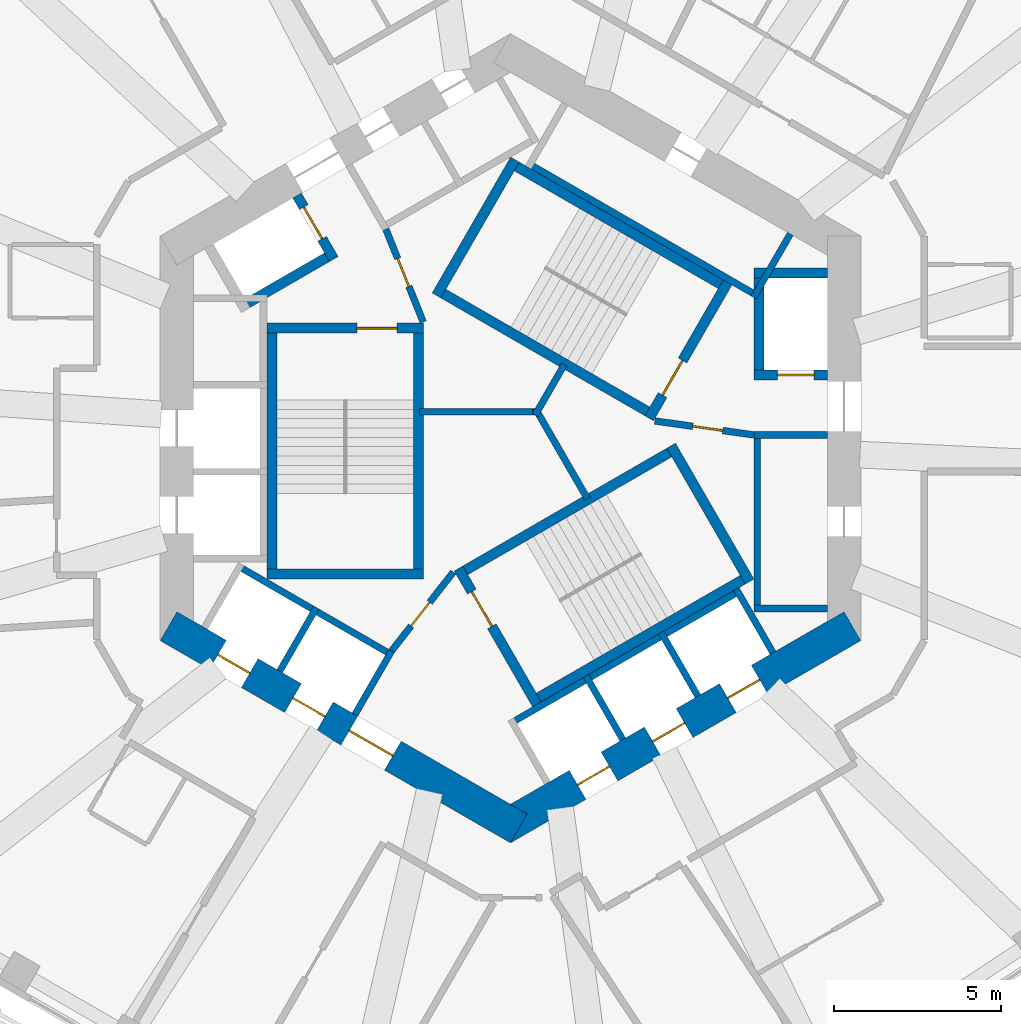
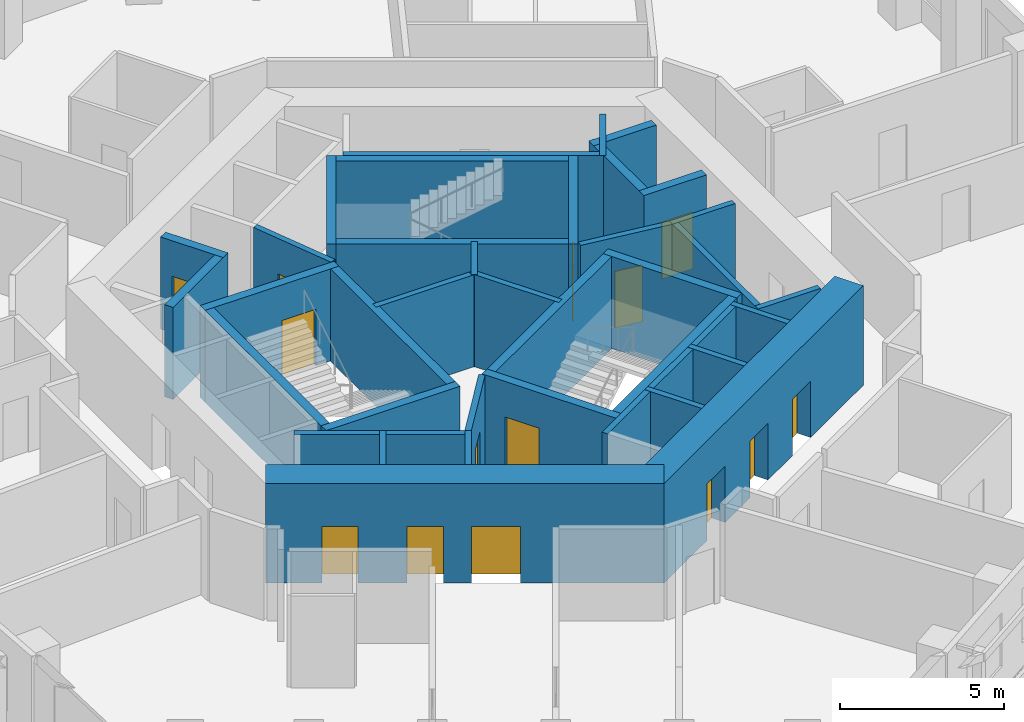
# One storey, part 5 of 11: 37 walls, 14 doors, 14 openings.
"""IFC4 building model written with IfcOpenShell, lengths in metres."""

import ifcopenshell
import ifcopenshell.guid

model = None  # the IFC model being written
_history = None  # IfcOwnerHistory: only IFC2X3 demands one
_inside = {}  # id of a spatial element -> (the spatial element, [elements in it])
_under = {}  # id of a project, library or spatial element -> (it, [spatial elements below it])
_declared = {}  # id of a project -> (the project, [libraries it declares])
_typed = {}  # id of a type object -> (the type object, [elements of that type])
_made_of = {}  # id of a material, layer set ... -> (it, [elements and type objects made of it])


def new_model(schema):
    """Start an empty IFC model of exactly this schema.

    Asked for "IFC4X3", IfcOpenShell would pick the latest addendum, in which some entities
    have other attributes; the version numbers below select the first issue.
    IFC2X3 requires an IfcOwnerHistory on every rooted entity: one is made here for all.
    """
    global model, _history
    if schema == "IFC4X3":
        model = ifcopenshell.file(schema_version=(4, 3, 0, 0))
    else:
        model = ifcopenshell.file(schema=schema)
    _inside.clear()
    _under.clear()
    _declared.clear()
    _typed.clear()
    _made_of.clear()
    _history = None
    if model.schema == "IFC2X3":
        org = make("IfcOrganization", Name="unknown")
        user = make(
            "IfcPersonAndOrganization",
            ThePerson=make("IfcPerson", FamilyName="unknown"),
            TheOrganization=org,
        )
        app = make(
            "IfcApplication",
            ApplicationDeveloper=org,
            Version="unknown",
            ApplicationFullName="unknown",
            ApplicationIdentifier="unknown",
        )
        _history = make(
            "IfcOwnerHistory",
            OwningUser=user,
            OwningApplication=app,
            ChangeAction="ADDED",
            CreationDate=0,
        )
    return model


def make(cls, **values):
    """One entity of the class cls with the attributes given. An attribute that is None is left unset."""
    return model.create_entity(
        cls, **{name: value for name, value in values.items() if value is not None}
    )


def rooted(cls, **values):
    """An entity with a GlobalId (a new one), such as an element, a storey or a relation."""
    return make(cls, GlobalId=ifcopenshell.guid.new(), OwnerHistory=_history, **values)


def si_unit(unit_type, name, prefix=None):
    """IfcSIUnit, for example si_unit("LENGTHUNIT", "METRE", prefix="MILLI")."""
    return make("IfcSIUnit", UnitType=unit_type, Prefix=prefix, Name=name)


def assignment(units):
    """IfcUnitAssignment: the units of a project."""
    return None if units is None else make("IfcUnitAssignment", Units=units)


def point(xyz):
    """IfcCartesianPoint."""
    return None if xyz is None else make("IfcCartesianPoint", Coordinates=xyz)


def direction(xyz):
    """IfcDirection."""
    return None if xyz is None else make("IfcDirection", DirectionRatios=xyz)


def frame(location, z_axis=None, x_axis=None):
    """IfcAxis2Placement3D, a coordinate frame: its origin and axes. An axis left out is left unset."""
    return make(
        "IfcAxis2Placement3D",
        Location=point(location),
        Axis=direction(z_axis),
        RefDirection=direction(x_axis),
    )


def frame_2d(location, x_axis=None):
    """IfcAxis2Placement2D, a coordinate frame in the plane: its origin and x axis."""
    return make(
        "IfcAxis2Placement2D", Location=point(location), RefDirection=direction(x_axis)
    )


def origin():
    """The frame at (0, 0, 0) with its axes left unset."""
    return frame((0.0, 0.0, 0.0))


def place(relative_to, where):
    """IfcLocalPlacement: puts the frame where relative to a parent placement (None: the world)."""
    return make(
        "IfcLocalPlacement", PlacementRelTo=relative_to, RelativePlacement=where
    )


def context(
    kind, dimensions, precision=None, world=None, true_north=None, identifier=None
):
    """IfcGeometricRepresentationContext, for example the 3D "Model" context."""
    return make(
        "IfcGeometricRepresentationContext",
        ContextIdentifier=identifier,
        ContextType=kind,
        CoordinateSpaceDimension=dimensions,
        Precision=precision,
        WorldCoordinateSystem=world,
        TrueNorth=true_north,
    )


def subcontext(parent, identifier, kind, view, scale=None):
    """IfcGeometricRepresentationSubContext, for example "Body" below "Model"."""
    return make(
        "IfcGeometricRepresentationSubContext",
        ContextIdentifier=identifier,
        ContextType=kind,
        ParentContext=parent,
        TargetScale=scale,
        TargetView=view,
    )


def project(units=None, contexts=None):
    """IfcProject with its units and contexts."""
    return rooted(
        "IfcProject",
        Name="project",
        RepresentationContexts=contexts,
        UnitsInContext=assignment(units),
    )


def spatial(cls, under=None, at=None, **own):
    """A site, building, storey or space (cls), placed at a placement, below another one or the project."""
    s = rooted(cls, ObjectPlacement=at, **own)
    if under is not None:
        _under.setdefault(under.id(), (under, []))[1].append(s)
    return s


def profile(cls, at=None, kind="AREA", **sizes):
    """A parametric profile (cls). Its sizes go by their IFC names, for example OverallWidth=200.0."""
    return make(cls, ProfileType=kind, Position=at, **sizes)


def rectangle(**sizes):
    """IfcRectangleProfileDef."""
    return profile("IfcRectangleProfileDef", **sizes)


def extrude(swept, where, along, depth):
    """IfcExtrudedAreaSolid: the profile swept, set in the frame where, extruded along a direction by depth."""
    return make(
        "IfcExtrudedAreaSolid",
        SweptArea=swept,
        Position=where,
        ExtrudedDirection=direction(along),
        Depth=depth,
    )


def shape(context_of_items, identifier, shape_type, items):
    """IfcShapeRepresentation: the items that make up one representation, for example the "Body"."""
    return make(
        "IfcShapeRepresentation",
        ContextOfItems=context_of_items,
        RepresentationIdentifier=identifier,
        RepresentationType=shape_type,
        Items=items,
    )


def material(Name=None, Category=None):
    """IfcMaterial."""
    return make("IfcMaterial", Name=Name, Category=Category)


def layer(
    of_material, thickness, ventilated=None, Name=None, Category=None, Priority=None
):
    """IfcMaterialLayer: one layer of a wall or slab, of a material (None: an air gap)."""
    return make(
        "IfcMaterialLayer",
        Material=of_material,
        LayerThickness=thickness,
        IsVentilated=ventilated,
        Name=Name,
        Category=Category,
        Priority=Priority,
    )


def layer_set(layers, Name=None):
    """IfcMaterialLayerSet."""
    return make("IfcMaterialLayerSet", MaterialLayers=layers, LayerSetName=Name)


def made_of(thing, what):
    """Note that an element or type object is made of a material, layer set ...; save() writes the relation."""
    if what is not None:
        _made_of.setdefault(what.id(), (what, []))[1].append(thing)
    return thing


def type_object(cls, material=None, **own):
    """A type object (cls), such as IfcWallType, which elements share."""
    return made_of(rooted(cls, **own), material)


def element(
    cls,
    number,
    at=None,
    inside=None,
    cuts=None,
    type_object=None,
    material=None,
    context=None,
    identifier="Body",
    shape_type=None,
    held_by="IfcProductDefinitionShape",
    body=None,
    shapes=None,
    **own,
):
    """One element of the class cls, such as IfcWall. Its Tag is "e" and its number.

    at: its placement. inside: the storey or other place that contains it. cuts: it is an
    opening in that element (IfcRelVoidsElement). A single representation is given by context,
    identifier, shape_type and body (its items); several are given by shapes. held_by: the class
    of the entity that holds the representations. save() writes the other relations.
    """
    e = rooted(cls, Tag="e%d" % number, ObjectPlacement=at, **own)
    if body is not None:
        shapes = [shape(context, identifier, shape_type, body)]
    if shapes is not None:
        e.Representation = make(held_by, Representations=shapes)
    if inside is not None:
        _inside.setdefault(inside.id(), (inside, []))[1].append(e)
    if cuts is not None:
        rooted(
            "IfcRelVoidsElement", RelatingBuildingElement=cuts, RelatedOpeningElement=e
        )
    if type_object is not None:
        _typed.setdefault(type_object.id(), (type_object, []))[1].append(e)
    return made_of(e, material)


def fill(opening, filler):
    """IfcRelFillsElement: the door or window that sits in an opening."""
    return rooted(
        "IfcRelFillsElement",
        RelatingOpeningElement=opening,
        RelatedBuildingElement=filler,
    )


def aggregate(whole, parts):
    """IfcRelAggregates: a whole, such as a stair, and the parts it consists of."""
    return rooted("IfcRelAggregates", RelatingObject=whole, RelatedObjects=parts)


def save(model, path):
    """Write the relations noted so far, then the file.

    IfcRelAggregates (storeys below a building ...), IfcRelContainedInSpatialStructure (elements
    in a storey), IfcRelDefinesByType, IfcRelAssociatesMaterial and IfcRelDeclares: one each for
    every whole, place, type object, material and project.
    """
    for whole, parts in _under.values():
        aggregate(whole, parts)
    for where, things in _inside.values():
        rooted(
            "IfcRelContainedInSpatialStructure",
            RelatedElements=things,
            RelatingStructure=where,
        )
    for kind, things in _typed.values():
        rooted("IfcRelDefinesByType", RelatedObjects=things, RelatingType=kind)
    for what, things in _made_of.values():
        rooted("IfcRelAssociatesMaterial", RelatedObjects=things, RelatingMaterial=what)
    for by, libraries in _declared.values():
        rooted("IfcRelDeclares", RelatingContext=by, RelatedDefinitions=libraries)
    model.write(path)


model = new_model("IFC4")

# Units and contexts
model_context = context("Model", 3, precision=1e-05, world=origin(), true_north=direction((0.0, 1.0)))
body_context = subcontext(model_context, "Body", "Model", "MODEL_VIEW")
ifc_project = project(units=[si_unit("LENGTHUNIT", "METRE"), si_unit("AREAUNIT", "SQUARE_METRE"), si_unit("VOLUMEUNIT", "CUBIC_METRE"), si_unit("PLANEANGLEUNIT", "RADIAN"), si_unit("MASSUNIT", "GRAM", prefix="KILO")], contexts=[model_context])

# Site, building, storey
site_placement = place(None, origin())
site = spatial("IfcSite", under=ifc_project, at=site_placement, CompositionType="ELEMENT")
building_placement = place(site_placement, origin())
building = spatial("IfcBuilding", under=site, at=building_placement, Name="Vanh Sen Convention Tower", CompositionType="ELEMENT")
storey_placement = place(building_placement, frame((0.0, 0.0, 183.60009765625)))
storey = spatial("IfcBuildingStorey", under=building, at=storey_placement, Name="L45", CompositionType="ELEMENT", Elevation=183.60009765625)

# Wall, openings, doors
ifc_material_1 = material(Name="Concrete C80/95", Category="concrete")
ifc_layer_1 = layer(ifc_material_1, 1.0)
ifc_layer_set_1 = layer_set([ifc_layer_1], Name="Concrete C80/95")
wall_type_1 = type_object("IfcWallType", Name="Core outer wall 1000 C80/95", PredefinedType="SHEAR", material=ifc_layer_set_1)
wall_1_placement = place(storey_placement, frame((-10.25, -5.629150390625, 0.0), z_axis=(0.0, 0.0, 1.0), x_axis=(0.866022616891, -0.50000482701, 0.0)))
wall_1 = element("IfcWall", 1, at=wall_1_placement, inside=storey, type_object=wall_type_1, Name="Core wall face SW L45", PredefinedType="SHEAR", context=body_context, shape_type="SweptSolid", body=[
    extrude(rectangle(XDim=12.12451171875, YDim=1.0, at=frame_2d((6.062255859375, 0.0))), origin(), (0.0, 0.0, 1.0), 3.699951171875),
])
opening_1_placement = place(wall_1_placement, frame((6.26220703125, 0.0, 0.0)))
opening_1 = element("IfcOpeningElement", 2, at=opening_1_placement, cuts=wall_1, Name="Opening D44003", PredefinedType="OPENING", context=body_context, shape_type="SweptSolid", body=[
    extrude(rectangle(XDim=1.5, YDim=2.10009765625, at=frame_2d((0.75, 1.050048828125))), frame((0.0, 0.510009765625, 0.0), z_axis=(0.0, -1.0, 0.0), x_axis=(1.0, 0.0, 0.0)), (0.0, 0.0, 1.0), 1.02001953125),
])
opening_2_placement = place(wall_1_placement, frame((1.712158203125, 0.0, 0.0)))
opening_2 = element("IfcOpeningElement", 3, at=opening_2_placement, cuts=wall_1, Name="Opening LD-HR3", PredefinedType="OPENING", context=body_context, shape_type="SweptSolid", body=[
    extrude(rectangle(XDim=1.10009765625, YDim=2.10009765625, at=frame_2d((0.550048828125, 1.050048828125))), frame((0.0, 0.510009765625, 0.0), z_axis=(0.0, -1.0, 0.0), x_axis=(1.0, 0.0, 0.0)), (0.0, 0.0, 1.0), 1.02001953125),
])
opening_3_placement = place(wall_1_placement, frame((4.312255859375, 0.0, 0.0)))
opening_3 = element("IfcOpeningElement", 4, at=opening_3_placement, cuts=wall_1, Name="Opening LD-HR4", PredefinedType="OPENING", context=body_context, shape_type="SweptSolid", body=[
    extrude(rectangle(XDim=1.10009765625, YDim=2.10009765625, at=frame_2d((0.550048828125, 1.050048828125))), frame((0.0, 0.510009765625, 0.0), z_axis=(0.0, -1.0, 0.0), x_axis=(1.0, 0.0, 0.0)), (0.0, 0.0, 1.0), 1.02001953125),
])
ifc_material_2 = material(Name="Stainless steel", Category="steel")
door_type_1 = type_object("IfcDoorType", Name="Lift landing door 1100", OperationType="DOUBLE_DOOR_SLIDING", PredefinedType="DOOR", material=ifc_material_2)
door_1_placement = place(opening_2_placement, origin())
door_1 = element("IfcDoor", 5, at=door_1_placement, inside=storey, type_object=door_type_1, Name="Lift HR3 landing door LD-HR3", OperationType="DOUBLE_DOOR_SLIDING", OverallHeight=2.10009765625, OverallWidth=1.10009765625, PredefinedType="DOOR", context=body_context, shape_type="SweptSolid", body=[
    extrude(rectangle(XDim=1.10009765625, YDim=2.10009765625, at=frame_2d((0.550048828125, 1.050048828125))), frame((0.0, 0.02490234375, 0.0), z_axis=(0.0, -1.0, 0.0), x_axis=(1.0, 0.0, 0.0)), (0.0, 0.0, 1.0), 0.050048828125),
])
fill(opening_2, door_1)
door_2_placement = place(opening_3_placement, origin())
door_2 = element("IfcDoor", 6, at=door_2_placement, inside=storey, type_object=door_type_1, Name="Lift HR4 landing door LD-HR4", OperationType="DOUBLE_DOOR_SLIDING", OverallHeight=2.10009765625, OverallWidth=1.10009765625, PredefinedType="DOOR", context=body_context, shape_type="SweptSolid", body=[
    extrude(rectangle(XDim=1.10009765625, YDim=2.10009765625, at=frame_2d((0.550048828125, 1.050048828125))), frame((0.0, 0.02490234375, 0.0), z_axis=(0.0, -1.0, 0.0), x_axis=(1.0, 0.0, 0.0)), (0.0, 0.0, 1.0), 0.050048828125),
])
fill(opening_3, door_2)
ifc_material_3 = material(Name="Steel S355", Category="steel")
door_type_2 = type_object("IfcDoorType", Name="Stair lobby door 1500", OperationType="DOUBLE_DOOR_SINGLE_SWING", PredefinedType="DOOR", material=ifc_material_3)
door_3_placement = place(opening_1_placement, origin())
door_3 = element("IfcDoor", 7, at=door_3_placement, inside=storey, type_object=door_type_2, Name="Stair lobby door D44003", OperationType="DOUBLE_DOOR_SINGLE_SWING", OverallHeight=2.10009765625, OverallWidth=1.5, PredefinedType="DOOR", context=body_context, shape_type="SweptSolid", body=[
    extrude(rectangle(XDim=1.5, YDim=2.10009765625, at=frame_2d((0.75, 1.050048828125))), frame((0.0, 0.02490234375, 0.0), z_axis=(0.0, -1.0, 0.0), x_axis=(1.0, 0.0, 0.0)), (0.0, 0.0, 1.0), 0.050048828125),
])
fill(opening_1, door_3)

wall_2_placement = place(storey_placement, frame((-0.25, -11.69140625, 0.0), z_axis=(0.0, 0.0, 1.0), x_axis=(0.866022616891, 0.50000482701, 0.0)))
wall_2 = element("IfcWall", 8, at=wall_2_placement, inside=storey, type_object=wall_type_1, Name="Core wall face SE L45", PredefinedType="SHEAR", context=body_context, shape_type="SweptSolid", body=[
    extrude(rectangle(XDim=12.12451171875, YDim=1.0, at=frame_2d((6.062255859375, 0.0))), origin(), (0.0, 0.0, 1.0), 3.699951171875),
])
opening_4_placement = place(wall_2_placement, frame((2.6123046875, 0.0, 0.0)))
opening_4 = element("IfcOpeningElement", 9, at=opening_4_placement, cuts=wall_2, Name="Opening LD-HR5", PredefinedType="OPENING", context=body_context, shape_type="SweptSolid", body=[
    extrude(rectangle(XDim=1.10009765625, YDim=2.10009765625, at=frame_2d((0.550048828125, 1.050048828125))), frame((0.0, 0.510009765625, 0.0), z_axis=(0.0, -1.0, 0.0), x_axis=(1.0, 0.0, 0.0)), (0.0, 0.0, 1.0), 1.02001953125),
])
opening_5_placement = place(wall_2_placement, frame((5.212158203125, 0.0, 0.0)))
opening_5 = element("IfcOpeningElement", 10, at=opening_5_placement, cuts=wall_2, Name="Opening LD-HR6", PredefinedType="OPENING", context=body_context, shape_type="SweptSolid", body=[
    extrude(rectangle(XDim=1.10009765625, YDim=2.10009765625, at=frame_2d((0.550048828125, 1.050048828125))), frame((0.0, 0.510009765625, 0.0), z_axis=(0.0, -1.0, 0.0), x_axis=(1.0, 0.0, 0.0)), (0.0, 0.0, 1.0), 1.02001953125),
])
opening_6_placement = place(wall_2_placement, frame((7.812255859375, 0.0, 0.0)))
opening_6 = element("IfcOpeningElement", 11, at=opening_6_placement, cuts=wall_2, Name="Opening LD-SV1", PredefinedType="OPENING", context=body_context, shape_type="SweptSolid", body=[
    extrude(rectangle(XDim=1.10009765625, YDim=2.10009765625, at=frame_2d((0.550048828125, 1.050048828125))), frame((0.0, 0.510009765625, 0.0), z_axis=(0.0, -1.0, 0.0), x_axis=(1.0, 0.0, 0.0)), (0.0, 0.0, 1.0), 1.02001953125),
])
door_4_placement = place(opening_4_placement, origin())
door_4 = element("IfcDoor", 12, at=door_4_placement, inside=storey, type_object=door_type_1, Name="Lift HR5 landing door LD-HR5", OperationType="DOUBLE_DOOR_SLIDING", OverallHeight=2.10009765625, OverallWidth=1.10009765625, PredefinedType="DOOR", context=body_context, shape_type="SweptSolid", body=[
    extrude(rectangle(XDim=1.10009765625, YDim=2.10009765625, at=frame_2d((0.550048828125, 1.050048828125))), frame((0.0, 0.02490234375, 0.0), z_axis=(0.0, -1.0, 0.0), x_axis=(1.0, 0.0, 0.0)), (0.0, 0.0, 1.0), 0.050048828125),
])
fill(opening_4, door_4)
door_5_placement = place(opening_5_placement, origin())
door_5 = element("IfcDoor", 13, at=door_5_placement, inside=storey, type_object=door_type_1, Name="Lift HR6 landing door LD-HR6", OperationType="DOUBLE_DOOR_SLIDING", OverallHeight=2.10009765625, OverallWidth=1.10009765625, PredefinedType="DOOR", context=body_context, shape_type="SweptSolid", body=[
    extrude(rectangle(XDim=1.10009765625, YDim=2.10009765625, at=frame_2d((0.550048828125, 1.050048828125))), frame((0.0, 0.02490234375, 0.0), z_axis=(0.0, -1.0, 0.0), x_axis=(1.0, 0.0, 0.0)), (0.0, 0.0, 1.0), 0.050048828125),
])
fill(opening_5, door_5)
door_6_placement = place(opening_6_placement, origin())
door_6 = element("IfcDoor", 14, at=door_6_placement, inside=storey, type_object=door_type_1, Name="Lift SV1 landing door LD-SV1", OperationType="DOUBLE_DOOR_SLIDING", OverallHeight=2.10009765625, OverallWidth=1.10009765625, PredefinedType="DOOR", context=body_context, shape_type="SweptSolid", body=[
    extrude(rectangle(XDim=1.10009765625, YDim=2.10009765625, at=frame_2d((0.550048828125, 1.050048828125))), frame((0.0, 0.02490234375, 0.0), z_axis=(0.0, -1.0, 0.0), x_axis=(1.0, 0.0, 0.0)), (0.0, 0.0, 1.0), 0.050048828125),
])
fill(opening_6, door_6)

# Walls
ifc_material_4 = material(Name="Masonry blockwork", Category="masonry")
ifc_layer_2 = layer(ifc_material_4, 0.199951171875)
ifc_layer_set_2 = layer_set([ifc_layer_2], Name="Masonry blockwork")
wall_type_2 = type_object("IfcWallType", Name="Core partition 200", PredefinedType="PARTITIONING", material=ifc_layer_set_2)
wall_3_placement = place(storey_placement, frame((0.919921875, 0.800048828125, 0.0), z_axis=(0.0, 0.0, 1.0), x_axis=(-1.0, 0.0, 0.0)))
element("IfcWall", 15, at=wall_3_placement, inside=storey, type_object=wall_type_2, Name="Core partition L45", PredefinedType="PARTITIONING", context=body_context, shape_type="SweptSolid", body=[
    extrude(rectangle(XDim=3.639892578125, YDim=0.199951171875, at=frame_2d((1.81982421875, 0.0))), origin(), (0.0, 0.0, 1.0), 3.419921875),
])
wall_4_placement = place(storey_placement, frame((0.739990234375, 0.696044921875, 0.0), z_axis=(0.0, 0.0, 1.0), x_axis=(0.499956301907, 0.86605063142, 0.0)))
element("IfcWall", 16, at=wall_4_placement, inside=storey, type_object=wall_type_2, Name="Core partition L45", PredefinedType="PARTITIONING", context=body_context, shape_type="SweptSolid", body=[
    extrude(rectangle(XDim=1.747314453125, YDim=0.199951171875, at=frame_2d((0.87353515625, 0.0))), origin(), (0.0, 0.0, 1.0), 3.419921875),
])
wall_5_placement = place(storey_placement, frame((0.739990234375, 0.90380859375, 0.0), z_axis=(0.0, 0.0, 1.0), x_axis=(0.500028278809, -0.866009076391, 0.0)))
element("IfcWall", 17, at=wall_5_placement, inside=storey, type_object=wall_type_2, Name="Core partition L45", PredefinedType="PARTITIONING", context=body_context, shape_type="SweptSolid", body=[
    extrude(rectangle(XDim=3.132568359375, YDim=0.199951171875, at=frame_2d((1.56640625, 0.0))), origin(), (0.0, 0.0, 1.0), 3.419921875),
])

# Wall, opening, door
ifc_material_5 = material(Name="Concrete C60/75", Category="concrete")
ifc_layer_3 = layer(ifc_material_5, 0.300048828125)
ifc_layer_set_3 = layer_set([ifc_layer_3], Name="Concrete C60/75")
wall_type_3 = type_object("IfcWallType", Name="Fire-fighting lift shaft wall 300", PredefinedType="SHEAR", material=ifc_layer_set_3)
wall_6_placement = place(storey_placement, frame((7.300048828125, 1.89990234375, 0.0), z_axis=(0.0, 0.0, 1.0), x_axis=(1.0, 0.0, 0.0)))
wall_6 = element("IfcWall", 18, at=wall_6_placement, inside=storey, type_object=wall_type_3, Name="Fire-fighting lift shaft wall L45", PredefinedType="SHEAR", context=body_context, shape_type="SweptSolid", body=[
    extrude(rectangle(XDim=2.199951171875, YDim=0.300048828125, at=frame_2d((1.10009765625, 0.0))), origin(), (0.0, 0.0, 1.0), 3.419921875),
])
opening_7_placement = place(wall_6_placement, frame((0.699951171875, 0.0, 0.0)))
opening_7 = element("IfcOpeningElement", 19, at=opening_7_placement, cuts=wall_6, Name="Opening LD-FF1", PredefinedType="OPENING", context=body_context, shape_type="SweptSolid", body=[
    extrude(rectangle(XDim=1.10009765625, YDim=2.10009765625, at=frame_2d((0.550048828125, 1.050048828125))), frame((0.0, 0.159912109375, 0.0), z_axis=(0.0, -1.0, 0.0), x_axis=(1.0, 0.0, 0.0)), (0.0, 0.0, 1.0), 0.320068359375),
])
door_type_3 = type_object("IfcDoorType", Name="Fire-fighting lift landing door 1100", OperationType="DOUBLE_DOOR_SLIDING", PredefinedType="DOOR", material=ifc_material_2)
door_7_placement = place(opening_7_placement, origin())
door_7 = element("IfcDoor", 20, at=door_7_placement, inside=storey, type_object=door_type_3, Name="Lift FF1 landing door LD-FF1", OperationType="DOUBLE_DOOR_SLIDING", OverallHeight=2.10009765625, OverallWidth=1.10009765625, PredefinedType="DOOR", context=body_context, shape_type="SweptSolid", body=[
    extrude(rectangle(XDim=1.10009765625, YDim=2.10009765625, at=frame_2d((0.550048828125, 1.050048828125))), frame((0.0, 0.02490234375, 0.0), z_axis=(0.0, -1.0, 0.0), x_axis=(1.0, 0.0, 0.0)), (0.0, 0.0, 1.0), 0.050048828125),
])
fill(opening_7, door_7)

# Walls
wall_7_placement = place(storey_placement, frame((7.449951171875, 1.75, 0.0), z_axis=(0.0, 0.0, 1.0), x_axis=(0.0, 1.0, 0.0)))
element("IfcWall", 21, at=wall_7_placement, inside=storey, type_object=wall_type_3, Name="Fire-fighting lift shaft wall L45", PredefinedType="SHEAR", context=body_context, shape_type="SweptSolid", body=[
    extrude(rectangle(XDim=3.35009765625, YDim=0.300048828125, at=frame_2d((1.675048828125, 0.0))), origin(), (0.0, 0.0, 1.0), 3.419921875),
])
wall_8_placement = place(storey_placement, frame((7.300048828125, 4.949951171875, 0.0), z_axis=(0.0, 0.0, 1.0), x_axis=(1.0, 0.0, 0.0)))
element("IfcWall", 22, at=wall_8_placement, inside=storey, type_object=wall_type_3, Name="Fire-fighting lift shaft wall L45", PredefinedType="SHEAR", context=body_context, shape_type="SweptSolid", body=[
    extrude(rectangle(XDim=2.199951171875, YDim=0.300048828125, at=frame_2d((1.10009765625, 0.0))), origin(), (0.0, 0.0, 1.0), 3.419921875),
])

# Wall, opening, door
wall_9_placement = place(storey_placement, frame((-5.29541015625, 5.3720703125, 0.0), z_axis=(0.0, 0.0, 1.0), x_axis=(-0.500077893725, 0.86598042715, 0.0)))
wall_9 = element("IfcWall", 23, at=wall_9_placement, inside=storey, type_object=wall_type_3, Name="Fire-fighting lift shaft wall L45", PredefinedType="SHEAR", context=body_context, shape_type="SweptSolid", body=[
    extrude(rectangle(XDim=2.199951171875, YDim=0.300048828125, at=frame_2d((1.10009765625, 0.0))), origin(), (0.0, 0.0, 1.0), 3.419921875),
])
opening_8_placement = place(wall_9_placement, frame((0.699951171875, 0.0, 0.0)))
opening_8 = element("IfcOpeningElement", 24, at=opening_8_placement, cuts=wall_9, Name="Opening LD-FF2", PredefinedType="OPENING", context=body_context, shape_type="SweptSolid", body=[
    extrude(rectangle(XDim=1.10009765625, YDim=2.10009765625, at=frame_2d((0.550048828125, 1.050048828125))), frame((0.0, 0.159912109375, 0.0), z_axis=(0.0, -1.0, 0.0), x_axis=(1.0, 0.0, 0.0)), (0.0, 0.0, 1.0), 0.320068359375),
])
door_8_placement = place(opening_8_placement, origin())
door_8 = element("IfcDoor", 25, at=door_8_placement, inside=storey, type_object=door_type_3, Name="Lift FF2 landing door LD-FF2", OperationType="DOUBLE_DOOR_SLIDING", OverallHeight=2.10009765625, OverallWidth=1.10009765625, PredefinedType="DOOR", context=body_context, shape_type="SweptSolid", body=[
    extrude(rectangle(XDim=1.10009765625, YDim=2.10009765625, at=frame_2d((0.550048828125, 1.050048828125))), frame((0.0, 0.02490234375, 0.0), z_axis=(0.0, -1.0, 0.0), x_axis=(1.0, 0.0, 0.0)), (0.0, 0.0, 1.0), 0.050048828125),
])
fill(opening_8, door_8)

# Walls
wall_10_placement = place(storey_placement, frame((-5.240478515625, 5.576904296875, 0.0), z_axis=(0.0, 0.0, 1.0), x_axis=(-0.866014461049, -0.500018952895, 0.0)))
element("IfcWall", 26, at=wall_10_placement, inside=storey, type_object=wall_type_3, Name="Fire-fighting lift shaft wall L45", PredefinedType="SHEAR", context=body_context, shape_type="SweptSolid", body=[
    extrude(rectangle(XDim=3.349853515625, YDim=0.300048828125, at=frame_2d((1.6748046875, 0.0))), origin(), (0.0, 0.0, 1.0), 3.419921875),
])
ifc_material_6 = material(Name="Concrete C40/50", Category="concrete")
ifc_layer_4 = layer(ifc_material_6, 0.199951171875)
ifc_layer_set_4 = layer_set([ifc_layer_4], Name="Concrete C40/50")
wall_type_4 = type_object("IfcWallType", Name="Lift shaft wall 200", PredefinedType="PARTITIONING", material=ifc_layer_set_4)
wall_11_placement = place(storey_placement, frame((7.39990234375, -5.199951171875, 0.0), z_axis=(0.0, 0.0, 1.0), x_axis=(0.0, 1.0, 0.0)))
element("IfcWall", 27, at=wall_11_placement, inside=storey, type_object=wall_type_4, Name="Lift shaft wall L45", PredefinedType="PARTITIONING", context=body_context, shape_type="SweptSolid", body=[
    extrude(rectangle(XDim=5.39990234375, YDim=0.199951171875, at=frame_2d((2.699951171875, 0.0))), origin(), (0.0, 0.0, 1.0), 3.419921875),
])
for number, where, z_axis, x_axis, name in (
    (28, (7.300048828125, -5.10009765625, 0.0), (0.0, 0.0, 1.0), (1.0, 0.0, 0.0), "Lift shaft wall L45"),
    (29, (7.300048828125, 0.10009765625, 0.0), (0.0, 0.0, 1.0), (1.0, 0.0, 0.0), "Lift shaft wall L45"),
):
    element("IfcWall", number, at=place(storey_placement, frame(where, z_axis=z_axis, x_axis=x_axis)), inside=storey, type_object=wall_type_4, Name=name, PredefinedType="PARTITIONING", context=body_context, shape_type="SweptSolid", body=[
        extrude(rectangle(XDim=2.199951171875, YDim=0.199951171875, at=frame_2d((1.10009765625, 0.0))), origin(), (0.0, 0.0, 1.0), 3.419921875),
    ])
wall_12_placement = place(storey_placement, frame((7.423828125, 4.258544921875, 0.0), z_axis=(0.0, 0.0, 1.0), x_axis=(-0.866026010844, 0.49999894854, 0.0)))
element("IfcWall", 30, at=wall_12_placement, inside=storey, type_object=wall_type_4, Name="Lift shaft wall L45", PredefinedType="PARTITIONING", context=body_context, shape_type="SweptSolid", body=[
    extrude(rectangle(XDim=8.0, YDim=0.199951171875, at=frame_2d((4.0, 0.0))), origin(), (0.0, 0.0, 1.0), 3.419921875),
])
wall_13_placement = place(storey_placement, frame((7.287353515625, 4.221923828125, 0.0), z_axis=(0.0, 0.0, 1.0), x_axis=(0.499946605688, 0.86605622881, 0.0)))
element("IfcWall", 31, at=wall_13_placement, inside=storey, type_object=wall_type_4, Name="Lift shaft wall L45", PredefinedType="PARTITIONING", context=body_context, shape_type="SweptSolid", body=[
    extrude(rectangle(XDim=2.199951171875, YDim=0.199951171875, at=frame_2d((1.10009765625, 0.0))), origin(), (0.0, 0.0, 1.0), 3.419921875),
])
wall_14_placement = place(storey_placement, frame((-8.203369140625, -3.80859375, 0.0), z_axis=(0.0, 0.0, 1.0), x_axis=(0.866028230842, -0.499995103361, 0.0)))
element("IfcWall", 32, at=wall_14_placement, inside=storey, type_object=wall_type_4, Name="Lift shaft wall L45", PredefinedType="PARTITIONING", context=body_context, shape_type="SweptSolid", body=[
    extrude(rectangle(XDim=5.39990234375, YDim=0.199951171875, at=frame_2d((2.699951171875, 0.0))), origin(), (0.0, 0.0, 1.0), 3.419921875),
])
wall_15_placement = place(storey_placement, frame((-5.815185546875, -5.072021484375, 0.0), z_axis=(0.0, 0.0, 1.0), x_axis=(-0.499946605688, -0.86605622881, 0.0)))
element("IfcWall", 33, at=wall_15_placement, inside=storey, type_object=wall_type_4, Name="Lift shaft wall L45", PredefinedType="PARTITIONING", context=body_context, shape_type="SweptSolid", body=[
    extrude(rectangle(XDim=2.199951171875, YDim=0.199951171875, at=frame_2d((1.10009765625, 0.0))), origin(), (0.0, 0.0, 1.0), 3.419921875),
])
wall_16_placement = place(storey_placement, frame((-3.5634765625, -6.3720703125, 0.0), z_axis=(0.0, 0.0, 1.0), x_axis=(-0.499994660107, -0.866028486751, 0.0)))
element("IfcWall", 34, at=wall_16_placement, inside=storey, type_object=wall_type_4, Name="Lift shaft wall L45", PredefinedType="PARTITIONING", context=body_context, shape_type="SweptSolid", body=[
    extrude(rectangle(XDim=2.19970703125, YDim=0.199951171875, at=frame_2d((1.099853515625, 0.0))), origin(), (0.0, 0.0, 1.0), 3.419921875),
])
wall_17_placement = place(storey_placement, frame((-0.02392578125, -8.55859375, 0.0), z_axis=(0.0, 0.0, 1.0), x_axis=(0.866026010844, 0.49999894854, 0.0)))
element("IfcWall", 35, at=wall_17_placement, inside=storey, type_object=wall_type_4, Name="Lift shaft wall L45", PredefinedType="PARTITIONING", context=body_context, shape_type="SweptSolid", body=[
    extrude(rectangle(XDim=8.0, YDim=0.199951171875, at=frame_2d((4.0, 0.0))), origin(), (0.0, 0.0, 1.0), 3.419921875),
])
for number, where, z_axis, x_axis, name in (
    (36, (2.264404296875, -7.1220703125, 0.0), (0.0, 0.0, 1.0), (0.500077893725, -0.86598042715, 0.0), "Lift shaft wall L45"),
    (37, (4.51611328125, -5.822021484375, 0.0), (0.0, 0.0, 1.0), (0.499946605688, -0.86605622881, 0.0), "Lift shaft wall L45"),
    (38, (6.767578125, -4.52197265625, 0.0), (0.0, 0.0, 1.0), (0.50002983664, -0.866008176907, 0.0), "Lift shaft wall L45"),
):
    element("IfcWall", number, at=place(storey_placement, frame(where, z_axis=z_axis, x_axis=x_axis)), inside=storey, type_object=wall_type_4, Name=name, PredefinedType="PARTITIONING", context=body_context, shape_type="SweptSolid", body=[
        extrude(rectangle(XDim=2.199951171875, YDim=0.199951171875, at=frame_2d((1.10009765625, 0.0))), origin(), (0.0, 0.0, 1.0), 3.419921875),
    ])

# Wall, opening, door
ifc_layer_5 = layer(ifc_material_6, 0.199951171875)
ifc_layer_set_5 = layer_set([ifc_layer_5], Name="Concrete C40/50")
wall_type_5 = type_object("IfcWallType", Name="Stair lobby wall 200", PredefinedType="PARTITIONING", material=ifc_layer_set_5)
wall_18_placement = place(storey_placement, frame((4.327392578125, 0.52099609375, 0.0), z_axis=(0.0, 0.0, 1.0), x_axis=(0.990124376366, -0.14019172346, 0.0)))
wall_18 = element("IfcWall", 39, at=wall_18_placement, inside=storey, type_object=wall_type_5, Name="Stair lobby wall L45", PredefinedType="PARTITIONING", context=body_context, shape_type="SweptSolid", body=[
    extrude(rectangle(XDim=3.002197265625, YDim=0.199951171875, at=frame_2d((1.5009765625, 0.0))), origin(), (0.0, 0.0, 1.0), 3.419921875),
])
opening_9_placement = place(wall_18_placement, frame((1.14990234375, 0.0, 0.0)))
opening_9 = element("IfcOpeningElement", 40, at=opening_9_placement, cuts=wall_18, Name="Opening D44007", PredefinedType="OPENING", context=body_context, shape_type="SweptSolid", body=[
    extrude(rectangle(XDim=0.89990234375, YDim=2.10009765625, at=frame_2d((0.449951171875, 1.050048828125))), frame((0.0, 0.10986328125, 0.0), z_axis=(0.0, -1.0, 0.0), x_axis=(1.0, 0.0, 0.0)), (0.0, 0.0, 1.0), 0.219970703125),
])
door_type_4 = type_object("IfcDoorType", Name="Plant door 900", OperationType="SINGLE_SWING_LEFT", PredefinedType="DOOR", material=ifc_material_3)
door_9_placement = place(opening_9_placement, origin())
door_9 = element("IfcDoor", 41, at=door_9_placement, inside=storey, type_object=door_type_4, Name="Plant door D44007", OperationType="SINGLE_SWING_LEFT", OverallHeight=2.10009765625, OverallWidth=0.89990234375, PredefinedType="DOOR", context=body_context, shape_type="SweptSolid", body=[
    extrude(rectangle(XDim=0.89990234375, YDim=2.10009765625, at=frame_2d((0.449951171875, 1.050048828125))), frame((0.0, 0.02490234375, 0.0), z_axis=(0.0, -1.0, 0.0), x_axis=(1.0, 0.0, 0.0)), (0.0, 0.0, 1.0), 0.050048828125),
])
fill(opening_9, door_9)

wall_19_placement = place(storey_placement, frame((-2.614990234375, 3.487060546875, 0.0), z_axis=(0.0, 0.0, 1.0), x_axis=(-0.373576831041, 0.92759924068, 0.0)))
wall_19 = element("IfcWall", 42, at=wall_19_placement, inside=storey, type_object=wall_type_5, Name="Stair lobby wall L45", PredefinedType="PARTITIONING", context=body_context, shape_type="SweptSolid", body=[
    extrude(rectangle(XDim=3.002197265625, YDim=0.199951171875, at=frame_2d((1.5009765625, 0.0))), origin(), (0.0, 0.0, 1.0), 3.419921875),
])
opening_10_placement = place(wall_19_placement, frame((1.14990234375, 0.0, 0.0)))
opening_10 = element("IfcOpeningElement", 43, at=opening_10_placement, cuts=wall_19, Name="Opening D44008", PredefinedType="OPENING", context=body_context, shape_type="SweptSolid", body=[
    extrude(rectangle(XDim=0.89990234375, YDim=2.10009765625, at=frame_2d((0.449951171875, 1.050048828125))), frame((0.0, 0.10986328125, 0.0), z_axis=(0.0, -1.0, 0.0), x_axis=(1.0, 0.0, 0.0)), (0.0, 0.0, 1.0), 0.219970703125),
])
door_10_placement = place(opening_10_placement, origin())
door_10 = element("IfcDoor", 44, at=door_10_placement, inside=storey, type_object=door_type_4, Name="Plant door D44008", OperationType="SINGLE_SWING_LEFT", OverallHeight=2.10009765625, OverallWidth=0.89990234375, PredefinedType="DOOR", context=body_context, shape_type="SweptSolid", body=[
    extrude(rectangle(XDim=0.89990234375, YDim=2.10009765625, at=frame_2d((0.449951171875, 1.050048828125))), frame((0.0, 0.02490234375, 0.0), z_axis=(0.0, -1.0, 0.0), x_axis=(1.0, 0.0, 0.0)), (0.0, 0.0, 1.0), 0.050048828125),
])
fill(opening_10, door_10)

wall_20_placement = place(storey_placement, frame((-1.71240234375, -4.00830078125, 0.0), z_axis=(0.0, 0.0, 1.0), x_axis=(-0.616549420702, -0.787316208287, 0.0)))
wall_20 = element("IfcWall", 45, at=wall_20_placement, inside=storey, type_object=wall_type_5, Name="Stair lobby wall L45", PredefinedType="PARTITIONING", context=body_context, shape_type="SweptSolid", body=[
    extrude(rectangle(XDim=3.002197265625, YDim=0.199951171875, at=frame_2d((1.5009765625, 0.0))), origin(), (0.0, 0.0, 1.0), 3.419921875),
])
opening_11_placement = place(wall_20_placement, frame((1.14990234375, 0.0, 0.0)))
opening_11 = element("IfcOpeningElement", 46, at=opening_11_placement, cuts=wall_20, Name="Opening D44009", PredefinedType="OPENING", context=body_context, shape_type="SweptSolid", body=[
    extrude(rectangle(XDim=0.89990234375, YDim=2.10009765625, at=frame_2d((0.449951171875, 1.050048828125))), frame((0.0, 0.10986328125, 0.0), z_axis=(0.0, -1.0, 0.0), x_axis=(1.0, 0.0, 0.0)), (0.0, 0.0, 1.0), 0.219970703125),
])
door_11_placement = place(opening_11_placement, origin())
door_11 = element("IfcDoor", 47, at=door_11_placement, inside=storey, type_object=door_type_4, Name="Plant door D44009", OperationType="SINGLE_SWING_LEFT", OverallHeight=2.10009765625, OverallWidth=0.89990234375, PredefinedType="DOOR", context=body_context, shape_type="SweptSolid", body=[
    extrude(rectangle(XDim=0.89990234375, YDim=2.10009765625, at=frame_2d((0.449951171875, 1.050048828125))), frame((0.0, 0.02490234375, 0.0), z_axis=(0.0, -1.0, 0.0), x_axis=(1.0, 0.0, 0.0)), (0.0, 0.0, 1.0), 0.050048828125),
])
fill(opening_11, door_11)

ifc_layer_6 = layer(ifc_material_5, 0.300048828125)
ifc_layer_set_6 = layer_set([ifc_layer_6], Name="Concrete C60/75")
wall_type_6 = type_object("IfcWallType", Name="Stair wall 300", PredefinedType="SHEAR", material=ifc_layer_set_6)
wall_21_placement = place(storey_placement, frame((4.157958984375, 0.601806640625, 0.0), z_axis=(0.0, 0.0, 1.0), x_axis=(0.499977259774, 0.866038532462, 0.0)))
wall_21 = element("IfcWall", 48, at=wall_21_placement, inside=storey, type_object=wall_type_6, Name="Stair wall L45", PredefinedType="SHEAR", context=body_context, shape_type="SweptSolid", body=[
    extrude(rectangle(XDim=4.699951171875, YDim=0.300048828125, at=frame_2d((2.35009765625, 0.0))), origin(), (0.0, 0.0, 1.0), 3.419921875),
])
opening_12_placement = place(wall_21_placement, frame((0.800048828125, 0.0, 0.0)))
opening_12 = element("IfcOpeningElement", 49, at=opening_12_placement, cuts=wall_21, Name="Opening D44004", PredefinedType="OPENING", context=body_context, shape_type="SweptSolid", body=[
    extrude(rectangle(XDim=1.199951171875, YDim=2.10009765625, at=frame_2d((0.60009765625, 1.050048828125))), frame((0.0, 0.159912109375, 0.0), z_axis=(0.0, -1.0, 0.0), x_axis=(1.0, 0.0, 0.0)), (0.0, 0.0, 1.0), 0.320068359375),
])
door_type_5 = type_object("IfcDoorType", Name="Stair door 1200", OperationType="SINGLE_SWING_RIGHT", PredefinedType="DOOR", material=ifc_material_3)
door_12_placement = place(opening_12_placement, origin())
door_12 = element("IfcDoor", 50, at=door_12_placement, inside=storey, type_object=door_type_5, Name="Stair ST1 door D44004", OperationType="SINGLE_SWING_RIGHT", OverallHeight=2.10009765625, OverallWidth=1.199951171875, PredefinedType="DOOR", context=body_context, shape_type="SweptSolid", body=[
    extrude(rectangle(XDim=1.199951171875, YDim=2.10009765625, at=frame_2d((0.60009765625, 1.050048828125))), frame((0.0, 0.02490234375, 0.0), z_axis=(0.0, -1.0, 0.0), x_axis=(1.0, 0.0, 0.0)), (0.0, 0.0, 1.0), 0.050048828125),
])
fill(opening_12, door_12)

# Walls
wall_22_placement = place(storey_placement, frame((-2.216064453125, 4.28173828125, 0.0), z_axis=(0.0, 0.0, 1.0), x_axis=(0.499977259774, 0.866038532462, 0.0)))
element("IfcWall", 51, at=wall_22_placement, inside=storey, type_object=wall_type_6, Name="Stair wall L45", PredefinedType="SHEAR", context=body_context, shape_type="SweptSolid", body=[
    extrude(rectangle(XDim=4.699951171875, YDim=0.300048828125, at=frame_2d((2.35009765625, 0.0))), origin(), (0.0, 0.0, 1.0), 3.419921875),
])
for number, where, z_axis, x_axis, name in (
    (52, (4.10302734375, 0.806640625, 0.0), (0.0, 0.0, 1.0), (-0.866027801685, 0.499995846692, 0.0), "Stair wall L45"),
    (53, (6.302978515625, 4.6171875, 0.0), (0.0, 0.0, 1.0), (-0.866027801685, 0.499995846692, 0.0), "Stair wall L45"),
):
    element("IfcWall", number, at=place(storey_placement, frame(where, z_axis=z_axis, x_axis=x_axis)), inside=storey, type_object=wall_type_6, Name=name, PredefinedType="SHEAR", context=body_context, shape_type="SweptSolid", body=[
        extrude(rectangle(XDim=7.06005859375, YDim=0.300048828125, at=frame_2d((3.530029296875, 0.0))), origin(), (0.0, 0.0, 1.0), 3.419921875),
    ])

# Wall, opening, door
wall_23_placement = place(storey_placement, frame((-2.60009765625, 3.300048828125, 0.0), z_axis=(0.0, 0.0, 1.0), x_axis=(-1.0, 0.0, 0.0)))
wall_23 = element("IfcWall", 54, at=wall_23_placement, inside=storey, type_object=wall_type_6, Name="Stair wall L45", PredefinedType="SHEAR", context=body_context, shape_type="SweptSolid", body=[
    extrude(rectangle(XDim=4.699951171875, YDim=0.300048828125, at=frame_2d((2.35009765625, 0.0))), origin(), (0.0, 0.0, 1.0), 3.419921875),
])
opening_13_placement = place(wall_23_placement, frame((0.800048828125, 0.0, 0.0)))
opening_13 = element("IfcOpeningElement", 55, at=opening_13_placement, cuts=wall_23, Name="Opening D44005", PredefinedType="OPENING", context=body_context, shape_type="SweptSolid", body=[
    extrude(rectangle(XDim=1.199951171875, YDim=2.10009765625, at=frame_2d((0.60009765625, 1.050048828125))), frame((0.0, 0.159912109375, 0.0), z_axis=(0.0, -1.0, 0.0), x_axis=(1.0, 0.0, 0.0)), (0.0, 0.0, 1.0), 0.320068359375),
])
door_13_placement = place(opening_13_placement, origin())
door_13 = element("IfcDoor", 56, at=door_13_placement, inside=storey, type_object=door_type_5, Name="Stair ST2 door D44005", OperationType="SINGLE_SWING_RIGHT", OverallHeight=2.10009765625, OverallWidth=1.199951171875, PredefinedType="DOOR", context=body_context, shape_type="SweptSolid", body=[
    extrude(rectangle(XDim=1.199951171875, YDim=2.10009765625, at=frame_2d((0.60009765625, 1.050048828125))), frame((0.0, 0.02490234375, 0.0), z_axis=(0.0, -1.0, 0.0), x_axis=(1.0, 0.0, 0.0)), (0.0, 0.0, 1.0), 0.050048828125),
])
fill(opening_13, door_13)

# Walls
wall_24_placement = place(storey_placement, frame((-2.60009765625, -4.06005859375, 0.0), z_axis=(0.0, 0.0, 1.0), x_axis=(-1.0, 0.0, 0.0)))
element("IfcWall", 57, at=wall_24_placement, inside=storey, type_object=wall_type_6, Name="Stair wall L45", PredefinedType="SHEAR", context=body_context, shape_type="SweptSolid", body=[
    extrude(rectangle(XDim=4.699951171875, YDim=0.300048828125, at=frame_2d((2.35009765625, 0.0))), origin(), (0.0, 0.0, 1.0), 3.419921875),
])
for number, where, z_axis, x_axis, name in (
    (58, (-2.75, 3.14990234375, 0.0), (0.0, 0.0, 1.0), (0.0, -1.0, 0.0), "Stair wall L45"),
    (59, (-7.14990234375, 3.14990234375, 0.0), (0.0, 0.0, 1.0), (0.0, -1.0, 0.0), "Stair wall L45"),
):
    element("IfcWall", number, at=place(storey_placement, frame(where, z_axis=z_axis, x_axis=x_axis)), inside=storey, type_object=wall_type_6, Name=name, PredefinedType="SHEAR", context=body_context, shape_type="SweptSolid", body=[
        extrude(rectangle(XDim=7.059814453125, YDim=0.300048828125, at=frame_2d((3.52978515625, 0.0))), origin(), (0.0, 0.0, 1.0), 3.419921875),
    ])

# Wall, opening, door
wall_25_placement = place(storey_placement, frame((-1.557861328125, -3.901611328125, 0.0), z_axis=(0.0, 0.0, 1.0), x_axis=(0.499977259774, -0.866038532462, 0.0)))
wall_25 = element("IfcWall", 60, at=wall_25_placement, inside=storey, type_object=wall_type_6, Name="Stair wall L45", PredefinedType="SHEAR", context=body_context, shape_type="SweptSolid", body=[
    extrude(rectangle(XDim=4.699951171875, YDim=0.300048828125, at=frame_2d((2.35009765625, 0.0))), origin(), (0.0, 0.0, 1.0), 3.419921875),
])
opening_14_placement = place(wall_25_placement, frame((0.800048828125, 0.0, 0.0)))
opening_14 = element("IfcOpeningElement", 61, at=opening_14_placement, cuts=wall_25, Name="Opening D44006", PredefinedType="OPENING", context=body_context, shape_type="SweptSolid", body=[
    extrude(rectangle(XDim=1.199951171875, YDim=2.10009765625, at=frame_2d((0.60009765625, 1.050048828125))), frame((0.0, 0.159912109375, 0.0), z_axis=(0.0, -1.0, 0.0), x_axis=(1.0, 0.0, 0.0)), (0.0, 0.0, 1.0), 0.320068359375),
])
door_14_placement = place(opening_14_placement, origin())
door_14 = element("IfcDoor", 62, at=door_14_placement, inside=storey, type_object=door_type_5, Name="Stair ST3 door D44006", OperationType="SINGLE_SWING_RIGHT", OverallHeight=2.10009765625, OverallWidth=1.199951171875, PredefinedType="DOOR", context=body_context, shape_type="SweptSolid", body=[
    extrude(rectangle(XDim=1.199951171875, YDim=2.10009765625, at=frame_2d((0.60009765625, 1.050048828125))), frame((0.0, 0.02490234375, 0.0), z_axis=(0.0, -1.0, 0.0), x_axis=(1.0, 0.0, 0.0)), (0.0, 0.0, 1.0), 0.050048828125),
])
fill(opening_14, door_14)

# Walls
wall_26_placement = place(storey_placement, frame((4.816162109375, -0.2216796875, 0.0), z_axis=(0.0, 0.0, 1.0), x_axis=(0.499977259774, -0.866038532462, 0.0)))
element("IfcWall", 63, at=wall_26_placement, inside=storey, type_object=wall_type_6, Name="Stair wall L45", PredefinedType="SHEAR", context=body_context, shape_type="SweptSolid", body=[
    extrude(rectangle(XDim=4.699951171875, YDim=0.300048828125, at=frame_2d((2.35009765625, 0.0))), origin(), (0.0, 0.0, 1.0), 3.419921875),
])
for number, where, z_axis, x_axis, name in (
    (64, (-1.35302734375, -3.95654296875, 0.0), (0.0, 0.0, 1.0), (0.866027801685, 0.499995846692, 0.0), "Stair wall L45"),
    (65, (0.846923828125, -7.76708984375, 0.0), (0.0, 0.0, 1.0), (0.866027801685, 0.499995846692, 0.0), "Stair wall L45"),
):
    element("IfcWall", number, at=place(storey_placement, frame(where, z_axis=z_axis, x_axis=x_axis)), inside=storey, type_object=wall_type_6, Name=name, PredefinedType="SHEAR", context=body_context, shape_type="SweptSolid", body=[
        extrude(rectangle(XDim=7.06005859375, YDim=0.300048828125, at=frame_2d((3.530029296875, 0.0))), origin(), (0.0, 0.0, 1.0), 3.419921875),
    ])

save(model, "model.ifc")
